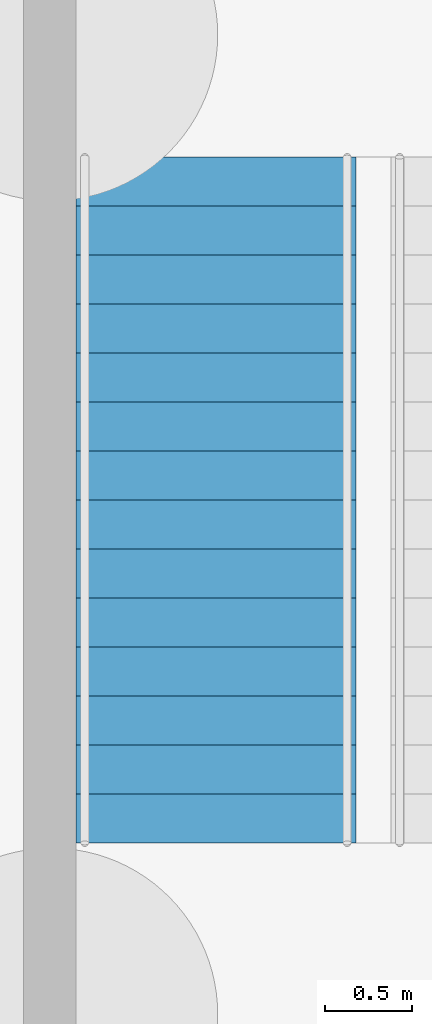
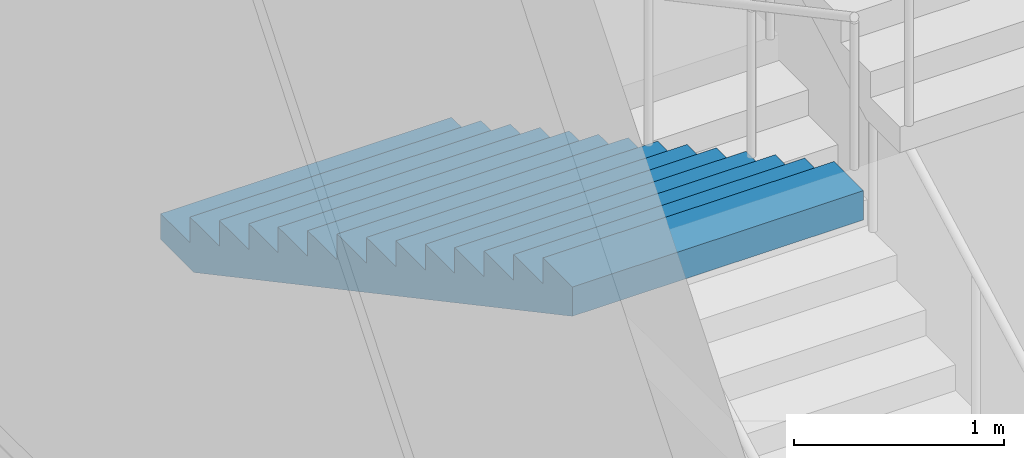
# One storey, part 89 of 113: 1 stair flight, 1 element without a shape of its own.
"""IFC4 building model written with IfcOpenShell, lengths in metres."""

from ifc_helpers import new_model, si_unit, direction, frame, origin, place, context, subcontext, project, spatial, triangles, material, type_object, element, aggregate, save


model = new_model("IFC4")

# Units and contexts
model_context = context("Model", 3, precision=1e-05, world=origin(), true_north=direction((0.0, 1.0)))
body_context = subcontext(model_context, "Body", "Model", "MODEL_VIEW")
ifc_project = project(units=[si_unit("LENGTHUNIT", "METRE"), si_unit("AREAUNIT", "SQUARE_METRE"), si_unit("VOLUMEUNIT", "CUBIC_METRE"), si_unit("PLANEANGLEUNIT", "RADIAN"), si_unit("MASSUNIT", "GRAM", prefix="KILO")], contexts=[model_context])

# Site, building, storey
site_placement = place(None, origin())
site = spatial("IfcSite", under=ifc_project, at=site_placement, CompositionType="ELEMENT")
building_placement = place(site_placement, origin())
building = spatial("IfcBuilding", under=site, at=building_placement, Name="Hakoniwa Tower and Hamabe Station Hall", CompositionType="ELEMENT")
storey_placement = place(building_placement, origin())
storey = spatial("IfcBuildingStorey", under=building, at=storey_placement, Name="L01", CompositionType="ELEMENT", Elevation=0.0)

# Stair, stair flight
ifc_material_1 = material(Name="Concrete C40", Category="concrete")
stair_type = type_object("IfcStairType", Name="STAIR 1600 15X150", PredefinedType="HALF_TURN_STAIR", material=ifc_material_1)
stair_placement = place(storey_placement, origin())
stair = element("IfcStair", 1, at=stair_placement, inside=storey, type_object=stair_type, Name="Escape stair SS3 L01", PredefinedType="HALF_TURN_STAIR")
ifc_material_2 = material(Name="Concrete C40", Category="concrete")
stair_flight_type = type_object("IfcStairFlightType", Name="STAIR FLIGHT 1600", PredefinedType="STRAIGHT", material=ifc_material_2)
stair_flight_placement = place(storey_placement, frame((87.449951171875, -16.89990234375, 4.5), z_axis=(0.0, 0.0, 1.0), x_axis=(0.0, -1.0, 0.0)))
stair_flight = element("IfcStairFlight", 2, at=stair_flight_placement, type_object=stair_flight_type, Name="SS3 flight 3", NumberOfRisers=15, NumberOfTreads=14, PredefinedType="STRAIGHT", RiserHeight=0.15, TreadLength=0.28, context=body_context, shape_type="Tessellation", body=[
    triangles([(0.0, 0.800048828125, 0.0), (0.280029296875, 0.800048828125, 0.0), (0.3173828125, 0.800048828125, 0.0), (0.56005859375, 0.800048828125, 0.1298828125), (0.840087890625, 0.800048828125, 0.280029296875), (1.1201171875, 0.800048828125, 0.429931640625), (1.39990234375, 0.800048828125, 0.579833984375), (1.679931640625, 0.800048828125, 0.72998046875), (1.9599609375, 0.800048828125, 0.8798828125), (2.239990234375, 0.800048828125, 1.030029296875), (2.52001953125, 0.800048828125, 1.179931640625), (2.800048828125, 0.800048828125, 1.329833984375), (3.080078125, 0.800048828125, 1.47998046875), (3.360107421875, 0.800048828125, 1.6298828125), (3.639892578125, 0.800048828125, 1.780029296875), (3.919921875, 0.800048828125, 1.929931640625), (3.919921875, 0.800048828125, 2.10009765625), (3.639892578125, 0.800048828125, 2.10009765625), (3.639892578125, 0.800048828125, 1.949951171875), (3.360107421875, 0.800048828125, 1.949951171875), (3.360107421875, 0.800048828125, 1.800048828125), (3.080078125, 0.800048828125, 1.800048828125), (3.080078125, 0.800048828125, 1.64990234375), (2.800048828125, 0.800048828125, 1.64990234375), (2.800048828125, 0.800048828125, 1.5), (2.52001953125, 0.800048828125, 1.5), (2.52001953125, 0.800048828125, 1.35009765625), (2.239990234375, 0.800048828125, 1.35009765625), (2.239990234375, 0.800048828125, 1.199951171875), (1.9599609375, 0.800048828125, 1.199951171875), (1.9599609375, 0.800048828125, 1.050048828125), (1.679931640625, 0.800048828125, 1.050048828125), (1.679931640625, 0.800048828125, 0.89990234375), (1.39990234375, 0.800048828125, 0.89990234375), (1.39990234375, 0.800048828125, 0.75), (1.1201171875, 0.800048828125, 0.75), (1.1201171875, 0.800048828125, 0.60009765625), (0.840087890625, 0.800048828125, 0.60009765625), (0.840087890625, 0.800048828125, 0.449951171875), (0.56005859375, 0.800048828125, 0.449951171875), (0.56005859375, 0.800048828125, 0.300048828125), (0.3173828125, 0.800048828125, 0.300048828125), (0.280029296875, 0.800048828125, 0.300048828125), (0.280029296875, 0.800048828125, 0.14990234375), (0.0, 0.800048828125, 0.14990234375), (0.0, 0.06005859375, 0.0), (0.280029296875, 0.06005859375, 0.0), (0.3173828125, 0.06005859375, 0.0), (0.56005859375, 0.06005859375, 0.1298828125), (0.840087890625, 0.06005859375, 0.280029296875), (1.1201171875, 0.06005859375, 0.429931640625), (1.39990234375, 0.06005859375, 0.579833984375), (1.679931640625, 0.06005859375, 0.72998046875), (1.9599609375, 0.06005859375, 0.8798828125), (2.239990234375, 0.06005859375, 1.030029296875), (2.52001953125, 0.06005859375, 1.179931640625), (2.800048828125, 0.06005859375, 1.329833984375), (3.080078125, 0.06005859375, 1.47998046875), (3.360107421875, 0.06005859375, 1.6298828125), (3.639892578125, 0.06005859375, 1.780029296875), (3.919921875, 0.06005859375, 1.929931640625), (3.919921875, 0.06005859375, 2.10009765625), (3.639892578125, 0.06005859375, 2.10009765625), (3.639892578125, 0.06005859375, 1.949951171875), (3.360107421875, 0.06005859375, 1.949951171875), (3.360107421875, 0.06005859375, 1.800048828125), (3.080078125, 0.06005859375, 1.800048828125), (3.080078125, 0.06005859375, 1.64990234375), (2.800048828125, 0.06005859375, 1.64990234375), (2.800048828125, 0.06005859375, 1.5), (2.52001953125, 0.06005859375, 1.5), (2.52001953125, 0.06005859375, 1.35009765625), (2.239990234375, 0.06005859375, 1.35009765625), (2.239990234375, 0.06005859375, 1.199951171875), (1.9599609375, 0.06005859375, 1.199951171875), (1.9599609375, 0.06005859375, 1.050048828125), (1.679931640625, 0.06005859375, 1.050048828125), (1.679931640625, 0.06005859375, 0.89990234375), (1.39990234375, 0.06005859375, 0.89990234375), (1.39990234375, 0.06005859375, 0.75), (1.1201171875, 0.06005859375, 0.75), (1.1201171875, 0.06005859375, 0.60009765625), (0.840087890625, 0.06005859375, 0.60009765625), (0.840087890625, 0.06005859375, 0.449951171875), (0.56005859375, 0.06005859375, 0.449951171875), (0.56005859375, 0.06005859375, 0.300048828125), (0.3173828125, 0.06005859375, 0.300048828125), (0.280029296875, 0.06005859375, 0.300048828125), (0.280029296875, 0.06005859375, 0.14990234375), (0.0, 0.06005859375, 0.14990234375), (0.0, 0.02001953125, 0.0), (0.280029296875, 0.02001953125, 0.0), (0.3173828125, 0.02001953125, 0.0), (0.56005859375, 0.02001953125, 0.1298828125), (0.840087890625, 0.02001953125, 0.280029296875), (1.1201171875, 0.02001953125, 0.429931640625), (1.39990234375, 0.02001953125, 0.579833984375), (1.679931640625, 0.02001953125, 0.72998046875), (1.9599609375, 0.02001953125, 0.8798828125), (2.239990234375, 0.02001953125, 1.030029296875), (2.52001953125, 0.02001953125, 1.179931640625), (2.800048828125, 0.02001953125, 1.329833984375), (3.080078125, 0.02001953125, 1.47998046875), (3.360107421875, 0.02001953125, 1.6298828125), (3.639892578125, 0.02001953125, 1.780029296875), (3.919921875, 0.02001953125, 1.929931640625), (3.919921875, 0.02001953125, 2.10009765625), (3.639892578125, 0.02001953125, 2.10009765625), (3.639892578125, 0.02001953125, 1.949951171875), (3.360107421875, 0.02001953125, 1.949951171875), (3.360107421875, 0.02001953125, 1.800048828125), (3.080078125, 0.02001953125, 1.800048828125), (3.080078125, 0.02001953125, 1.64990234375), (2.800048828125, 0.02001953125, 1.64990234375), (2.800048828125, 0.02001953125, 1.5), (2.52001953125, 0.02001953125, 1.5), (2.52001953125, 0.02001953125, 1.35009765625), (2.239990234375, 0.02001953125, 1.35009765625), (2.239990234375, 0.02001953125, 1.199951171875), (1.9599609375, 0.02001953125, 1.199951171875), (1.9599609375, 0.02001953125, 1.050048828125), (1.679931640625, 0.02001953125, 1.050048828125), (1.679931640625, 0.02001953125, 0.89990234375), (1.39990234375, 0.02001953125, 0.89990234375), (1.39990234375, 0.02001953125, 0.75), (1.1201171875, 0.02001953125, 0.75), (1.1201171875, 0.02001953125, 0.60009765625), (0.840087890625, 0.02001953125, 0.60009765625), (0.840087890625, 0.02001953125, 0.449951171875), (0.56005859375, 0.02001953125, 0.449951171875), (0.56005859375, 0.02001953125, 0.300048828125), (0.3173828125, 0.02001953125, 0.300048828125), (0.280029296875, 0.02001953125, 0.300048828125), (0.280029296875, 0.02001953125, 0.14990234375), (0.0, 0.02001953125, 0.14990234375), (0.0, -0.02001953125, 0.0), (0.280029296875, -0.02001953125, 0.0), (0.3173828125, -0.02001953125, 0.0), (0.56005859375, -0.02001953125, 0.1298828125), (0.840087890625, -0.02001953125, 0.280029296875), (1.1201171875, -0.02001953125, 0.429931640625), (1.39990234375, -0.02001953125, 0.579833984375), (1.679931640625, -0.02001953125, 0.72998046875), (1.9599609375, -0.02001953125, 0.8798828125), (2.239990234375, -0.02001953125, 1.030029296875), (2.52001953125, -0.02001953125, 1.179931640625), (2.800048828125, -0.02001953125, 1.329833984375), (3.080078125, -0.02001953125, 1.47998046875), (3.360107421875, -0.02001953125, 1.6298828125), (3.639892578125, -0.02001953125, 1.780029296875), (3.919921875, -0.02001953125, 1.929931640625), (3.919921875, -0.02001953125, 2.10009765625), (3.639892578125, -0.02001953125, 2.10009765625), (3.639892578125, -0.02001953125, 1.949951171875), (3.360107421875, -0.02001953125, 1.949951171875), (3.360107421875, -0.02001953125, 1.800048828125), (3.080078125, -0.02001953125, 1.800048828125), (3.080078125, -0.02001953125, 1.64990234375), (2.800048828125, -0.02001953125, 1.64990234375), (2.800048828125, -0.02001953125, 1.5), (2.52001953125, -0.02001953125, 1.5), (2.52001953125, -0.02001953125, 1.35009765625), (2.239990234375, -0.02001953125, 1.35009765625), (2.239990234375, -0.02001953125, 1.199951171875), (1.9599609375, -0.02001953125, 1.199951171875), (1.9599609375, -0.02001953125, 1.050048828125), (1.679931640625, -0.02001953125, 1.050048828125), (1.679931640625, -0.02001953125, 0.89990234375), (1.39990234375, -0.02001953125, 0.89990234375), (1.39990234375, -0.02001953125, 0.75), (1.1201171875, -0.02001953125, 0.75), (1.1201171875, -0.02001953125, 0.60009765625), (0.840087890625, -0.02001953125, 0.60009765625), (0.840087890625, -0.02001953125, 0.449951171875), (0.56005859375, -0.02001953125, 0.449951171875), (0.56005859375, -0.02001953125, 0.300048828125), (0.3173828125, -0.02001953125, 0.300048828125), (0.280029296875, -0.02001953125, 0.300048828125), (0.280029296875, -0.02001953125, 0.14990234375), (0.0, -0.02001953125, 0.14990234375), (0.0, -0.06005859375, 0.0), (0.280029296875, -0.06005859375, 0.0), (0.3173828125, -0.06005859375, 0.0), (0.56005859375, -0.06005859375, 0.1298828125), (0.840087890625, -0.06005859375, 0.280029296875), (1.1201171875, -0.06005859375, 0.429931640625), (1.39990234375, -0.06005859375, 0.579833984375), (1.679931640625, -0.06005859375, 0.72998046875), (1.9599609375, -0.06005859375, 0.8798828125), (2.239990234375, -0.06005859375, 1.030029296875), (2.52001953125, -0.06005859375, 1.179931640625), (2.800048828125, -0.06005859375, 1.329833984375), (3.080078125, -0.06005859375, 1.47998046875), (3.360107421875, -0.06005859375, 1.6298828125), (3.639892578125, -0.06005859375, 1.780029296875), (3.919921875, -0.06005859375, 1.929931640625), (3.919921875, -0.06005859375, 2.10009765625), (3.639892578125, -0.06005859375, 2.10009765625), (3.639892578125, -0.06005859375, 1.949951171875), (3.360107421875, -0.06005859375, 1.949951171875), (3.360107421875, -0.06005859375, 1.800048828125), (3.080078125, -0.06005859375, 1.800048828125), (3.080078125, -0.06005859375, 1.64990234375), (2.800048828125, -0.06005859375, 1.64990234375), (2.800048828125, -0.06005859375, 1.5), (2.52001953125, -0.06005859375, 1.5), (2.52001953125, -0.06005859375, 1.35009765625), (2.239990234375, -0.06005859375, 1.35009765625), (2.239990234375, -0.06005859375, 1.199951171875), (1.9599609375, -0.06005859375, 1.199951171875), (1.9599609375, -0.06005859375, 1.050048828125), (1.679931640625, -0.06005859375, 1.050048828125), (1.679931640625, -0.06005859375, 0.89990234375), (1.39990234375, -0.06005859375, 0.89990234375), (1.39990234375, -0.06005859375, 0.75), (1.1201171875, -0.06005859375, 0.75), (1.1201171875, -0.06005859375, 0.60009765625), (0.840087890625, -0.06005859375, 0.60009765625), (0.840087890625, -0.06005859375, 0.449951171875), (0.56005859375, -0.06005859375, 0.449951171875), (0.56005859375, -0.06005859375, 0.300048828125), (0.3173828125, -0.06005859375, 0.300048828125), (0.280029296875, -0.06005859375, 0.300048828125), (0.280029296875, -0.06005859375, 0.14990234375), (0.0, -0.06005859375, 0.14990234375), (0.0, -0.800048828125, 0.0), (0.280029296875, -0.800048828125, 0.0), (0.3173828125, -0.800048828125, 0.0), (0.56005859375, -0.800048828125, 0.1298828125), (0.840087890625, -0.800048828125, 0.280029296875), (1.1201171875, -0.800048828125, 0.429931640625), (1.39990234375, -0.800048828125, 0.579833984375), (1.679931640625, -0.800048828125, 0.72998046875), (1.9599609375, -0.800048828125, 0.8798828125), (2.239990234375, -0.800048828125, 1.030029296875), (2.52001953125, -0.800048828125, 1.179931640625), (2.800048828125, -0.800048828125, 1.329833984375), (3.080078125, -0.800048828125, 1.47998046875), (3.360107421875, -0.800048828125, 1.6298828125), (3.639892578125, -0.800048828125, 1.780029296875), (3.919921875, -0.800048828125, 1.929931640625), (3.919921875, -0.800048828125, 2.10009765625), (3.639892578125, -0.800048828125, 2.10009765625), (3.639892578125, -0.800048828125, 1.949951171875), (3.360107421875, -0.800048828125, 1.949951171875), (3.360107421875, -0.800048828125, 1.800048828125), (3.080078125, -0.800048828125, 1.800048828125), (3.080078125, -0.800048828125, 1.64990234375), (2.800048828125, -0.800048828125, 1.64990234375), (2.800048828125, -0.800048828125, 1.5), (2.52001953125, -0.800048828125, 1.5), (2.52001953125, -0.800048828125, 1.35009765625), (2.239990234375, -0.800048828125, 1.35009765625), (2.239990234375, -0.800048828125, 1.199951171875), (1.9599609375, -0.800048828125, 1.199951171875), (1.9599609375, -0.800048828125, 1.050048828125), (1.679931640625, -0.800048828125, 1.050048828125), (1.679931640625, -0.800048828125, 0.89990234375), (1.39990234375, -0.800048828125, 0.89990234375), (1.39990234375, -0.800048828125, 0.75), (1.1201171875, -0.800048828125, 0.75), (1.1201171875, -0.800048828125, 0.60009765625), (0.840087890625, -0.800048828125, 0.60009765625), (0.840087890625, -0.800048828125, 0.449951171875), (0.56005859375, -0.800048828125, 0.449951171875), (0.56005859375, -0.800048828125, 0.300048828125), (0.3173828125, -0.800048828125, 0.300048828125), (0.280029296875, -0.800048828125, 0.300048828125), (0.280029296875, -0.800048828125, 0.14990234375), (0.0, -0.800048828125, 0.14990234375)], [[2, 45, 44], [227, 269, 270], [2, 1, 45], [227, 270, 226], [3, 43, 42], [228, 267, 268], [3, 44, 43], [228, 268, 269], [3, 2, 44], [228, 269, 227], [4, 42, 41], [229, 266, 267], [4, 3, 42], [229, 267, 228], [5, 40, 39], [230, 264, 265], [5, 41, 40], [230, 265, 266], [5, 4, 41], [230, 266, 229], [6, 38, 37], [231, 262, 263], [6, 39, 38], [231, 263, 264], [6, 5, 39], [231, 264, 230], [7, 36, 35], [232, 260, 261], [7, 37, 36], [232, 261, 262], [7, 6, 37], [232, 262, 231], [8, 34, 33], [233, 258, 259], [8, 35, 34], [233, 259, 260], [8, 7, 35], [233, 260, 232], [9, 32, 31], [234, 256, 257], [9, 33, 32], [234, 257, 258], [9, 8, 33], [234, 258, 233], [10, 30, 29], [235, 254, 255], [10, 31, 30], [235, 255, 256], [10, 9, 31], [235, 256, 234], [11, 28, 27], [236, 252, 253], [11, 29, 28], [236, 253, 254], [11, 10, 29], [236, 254, 235], [12, 26, 25], [237, 250, 251], [12, 27, 26], [237, 251, 252], [12, 11, 27], [237, 252, 236], [13, 24, 23], [238, 248, 249], [13, 25, 24], [238, 249, 250], [13, 12, 25], [238, 250, 237], [14, 22, 21], [239, 246, 247], [14, 23, 22], [239, 247, 248], [14, 13, 23], [239, 248, 238], [15, 20, 19], [240, 244, 245], [15, 21, 20], [240, 245, 246], [15, 14, 21], [240, 246, 239], [16, 18, 17], [241, 242, 243], [16, 19, 18], [241, 243, 244], [16, 15, 19], [241, 244, 240], [1, 2, 47], [1, 47, 46], [46, 47, 92], [46, 92, 91], [91, 92, 137], [91, 137, 136], [136, 137, 182], [136, 182, 181], [181, 182, 227], [181, 227, 226], [2, 3, 48], [2, 48, 47], [47, 48, 93], [47, 93, 92], [92, 93, 138], [92, 138, 137], [137, 138, 183], [137, 183, 182], [182, 183, 228], [182, 228, 227], [3, 4, 49], [3, 49, 48], [48, 49, 94], [48, 94, 93], [93, 94, 139], [93, 139, 138], [138, 139, 184], [138, 184, 183], [183, 184, 229], [183, 229, 228], [4, 5, 50], [4, 50, 49], [49, 50, 95], [49, 95, 94], [94, 95, 140], [94, 140, 139], [139, 140, 185], [139, 185, 184], [184, 185, 230], [184, 230, 229], [5, 6, 51], [5, 51, 50], [50, 51, 96], [50, 96, 95], [95, 96, 141], [95, 141, 140], [140, 141, 186], [140, 186, 185], [185, 186, 231], [185, 231, 230], [6, 7, 52], [6, 52, 51], [51, 52, 97], [51, 97, 96], [96, 97, 142], [96, 142, 141], [141, 142, 187], [141, 187, 186], [186, 187, 232], [186, 232, 231], [7, 8, 53], [7, 53, 52], [52, 53, 98], [52, 98, 97], [97, 98, 143], [97, 143, 142], [142, 143, 188], [142, 188, 187], [187, 188, 233], [187, 233, 232], [8, 9, 54], [8, 54, 53], [53, 54, 99], [53, 99, 98], [98, 99, 144], [98, 144, 143], [143, 144, 189], [143, 189, 188], [188, 189, 234], [188, 234, 233], [9, 10, 55], [9, 55, 54], [54, 55, 100], [54, 100, 99], [99, 100, 145], [99, 145, 144], [144, 145, 190], [144, 190, 189], [189, 190, 235], [189, 235, 234], [10, 11, 56], [10, 56, 55], [55, 56, 101], [55, 101, 100], [100, 101, 146], [100, 146, 145], [145, 146, 191], [145, 191, 190], [190, 191, 236], [190, 236, 235], [11, 12, 57], [11, 57, 56], [56, 57, 102], [56, 102, 101], [101, 102, 147], [101, 147, 146], [146, 147, 192], [146, 192, 191], [191, 192, 237], [191, 237, 236], [12, 13, 58], [12, 58, 57], [57, 58, 103], [57, 103, 102], [102, 103, 148], [102, 148, 147], [147, 148, 193], [147, 193, 192], [192, 193, 238], [192, 238, 237], [13, 14, 59], [13, 59, 58], [58, 59, 104], [58, 104, 103], [103, 104, 149], [103, 149, 148], [148, 149, 194], [148, 194, 193], [193, 194, 239], [193, 239, 238], [14, 15, 60], [14, 60, 59], [59, 60, 105], [59, 105, 104], [104, 105, 150], [104, 150, 149], [149, 150, 195], [149, 195, 194], [194, 195, 240], [194, 240, 239], [15, 16, 61], [15, 61, 60], [60, 61, 106], [60, 106, 105], [105, 106, 151], [105, 151, 150], [150, 151, 196], [150, 196, 195], [195, 196, 241], [195, 241, 240], [16, 17, 62], [16, 62, 61], [61, 62, 107], [61, 107, 106], [106, 107, 152], [106, 152, 151], [151, 152, 197], [151, 197, 196], [196, 197, 242], [196, 242, 241], [17, 18, 63], [17, 63, 62], [62, 63, 108], [62, 108, 107], [107, 108, 153], [107, 153, 152], [152, 153, 198], [152, 198, 197], [197, 198, 243], [197, 243, 242], [18, 19, 64], [18, 64, 63], [63, 64, 109], [63, 109, 108], [108, 109, 154], [108, 154, 153], [153, 154, 199], [153, 199, 198], [198, 199, 244], [198, 244, 243], [19, 20, 65], [19, 65, 64], [64, 65, 110], [64, 110, 109], [109, 110, 155], [109, 155, 154], [154, 155, 200], [154, 200, 199], [199, 200, 245], [199, 245, 244], [20, 21, 66], [20, 66, 65], [65, 66, 111], [65, 111, 110], [110, 111, 156], [110, 156, 155], [155, 156, 201], [155, 201, 200], [200, 201, 246], [200, 246, 245], [21, 22, 67], [21, 67, 66], [66, 67, 112], [66, 112, 111], [111, 112, 157], [111, 157, 156], [156, 157, 202], [156, 202, 201], [201, 202, 247], [201, 247, 246], [22, 23, 68], [22, 68, 67], [67, 68, 113], [67, 113, 112], [112, 113, 158], [112, 158, 157], [157, 158, 203], [157, 203, 202], [202, 203, 248], [202, 248, 247], [23, 24, 69], [23, 69, 68], [68, 69, 114], [68, 114, 113], [113, 114, 159], [113, 159, 158], [158, 159, 204], [158, 204, 203], [203, 204, 249], [203, 249, 248], [24, 25, 70], [24, 70, 69], [69, 70, 115], [69, 115, 114], [114, 115, 160], [114, 160, 159], [159, 160, 205], [159, 205, 204], [204, 205, 250], [204, 250, 249], [25, 26, 71], [25, 71, 70], [70, 71, 116], [70, 116, 115], [115, 116, 161], [115, 161, 160], [160, 161, 206], [160, 206, 205], [205, 206, 251], [205, 251, 250], [26, 27, 72], [26, 72, 71], [71, 72, 117], [71, 117, 116], [116, 117, 162], [116, 162, 161], [161, 162, 207], [161, 207, 206], [206, 207, 252], [206, 252, 251], [27, 28, 73], [27, 73, 72], [72, 73, 118], [72, 118, 117], [117, 118, 163], [117, 163, 162], [162, 163, 208], [162, 208, 207], [207, 208, 253], [207, 253, 252], [28, 29, 74], [28, 74, 73], [73, 74, 119], [73, 119, 118], [118, 119, 164], [118, 164, 163], [163, 164, 209], [163, 209, 208], [208, 209, 254], [208, 254, 253], [29, 30, 75], [29, 75, 74], [74, 75, 120], [74, 120, 119], [119, 120, 165], [119, 165, 164], [164, 165, 210], [164, 210, 209], [209, 210, 255], [209, 255, 254], [30, 31, 76], [30, 76, 75], [75, 76, 121], [75, 121, 120], [120, 121, 166], [120, 166, 165], [165, 166, 211], [165, 211, 210], [210, 211, 256], [210, 256, 255], [31, 32, 77], [31, 77, 76], [76, 77, 122], [76, 122, 121], [121, 122, 167], [121, 167, 166], [166, 167, 212], [166, 212, 211], [211, 212, 257], [211, 257, 256], [32, 33, 78], [32, 78, 77], [77, 78, 123], [77, 123, 122], [122, 123, 168], [122, 168, 167], [167, 168, 213], [167, 213, 212], [212, 213, 258], [212, 258, 257], [33, 34, 79], [33, 79, 78], [78, 79, 124], [78, 124, 123], [123, 124, 169], [123, 169, 168], [168, 169, 214], [168, 214, 213], [213, 214, 259], [213, 259, 258], [34, 35, 80], [34, 80, 79], [79, 80, 125], [79, 125, 124], [124, 125, 170], [124, 170, 169], [169, 170, 215], [169, 215, 214], [214, 215, 260], [214, 260, 259], [35, 36, 81], [35, 81, 80], [80, 81, 126], [80, 126, 125], [125, 126, 171], [125, 171, 170], [170, 171, 216], [170, 216, 215], [215, 216, 261], [215, 261, 260], [36, 37, 82], [36, 82, 81], [81, 82, 127], [81, 127, 126], [126, 127, 172], [126, 172, 171], [171, 172, 217], [171, 217, 216], [216, 217, 262], [216, 262, 261], [37, 38, 83], [37, 83, 82], [82, 83, 128], [82, 128, 127], [127, 128, 173], [127, 173, 172], [172, 173, 218], [172, 218, 217], [217, 218, 263], [217, 263, 262], [38, 39, 84], [38, 84, 83], [83, 84, 129], [83, 129, 128], [128, 129, 174], [128, 174, 173], [173, 174, 219], [173, 219, 218], [218, 219, 264], [218, 264, 263], [39, 40, 85], [39, 85, 84], [84, 85, 130], [84, 130, 129], [129, 130, 175], [129, 175, 174], [174, 175, 220], [174, 220, 219], [219, 220, 265], [219, 265, 264], [40, 41, 86], [40, 86, 85], [85, 86, 131], [85, 131, 130], [130, 131, 176], [130, 176, 175], [175, 176, 221], [175, 221, 220], [220, 221, 266], [220, 266, 265], [41, 42, 87], [41, 87, 86], [86, 87, 132], [86, 132, 131], [131, 132, 177], [131, 177, 176], [176, 177, 222], [176, 222, 221], [221, 222, 267], [221, 267, 266], [42, 43, 88], [42, 88, 87], [87, 88, 133], [87, 133, 132], [132, 133, 178], [132, 178, 177], [177, 178, 223], [177, 223, 222], [222, 223, 268], [222, 268, 267], [43, 44, 89], [43, 89, 88], [88, 89, 134], [88, 134, 133], [133, 134, 179], [133, 179, 178], [178, 179, 224], [178, 224, 223], [223, 224, 269], [223, 269, 268], [44, 45, 90], [44, 90, 89], [89, 90, 135], [89, 135, 134], [134, 135, 180], [134, 180, 179], [179, 180, 225], [179, 225, 224], [224, 225, 270], [224, 270, 269], [45, 1, 46], [45, 46, 90], [90, 46, 91], [90, 91, 135], [135, 91, 136], [135, 136, 180], [180, 136, 181], [180, 181, 225], [225, 181, 226], [225, 226, 270]], closed=True),
])
aggregate(stair, [stair_flight])

save(model, "model.ifc")
